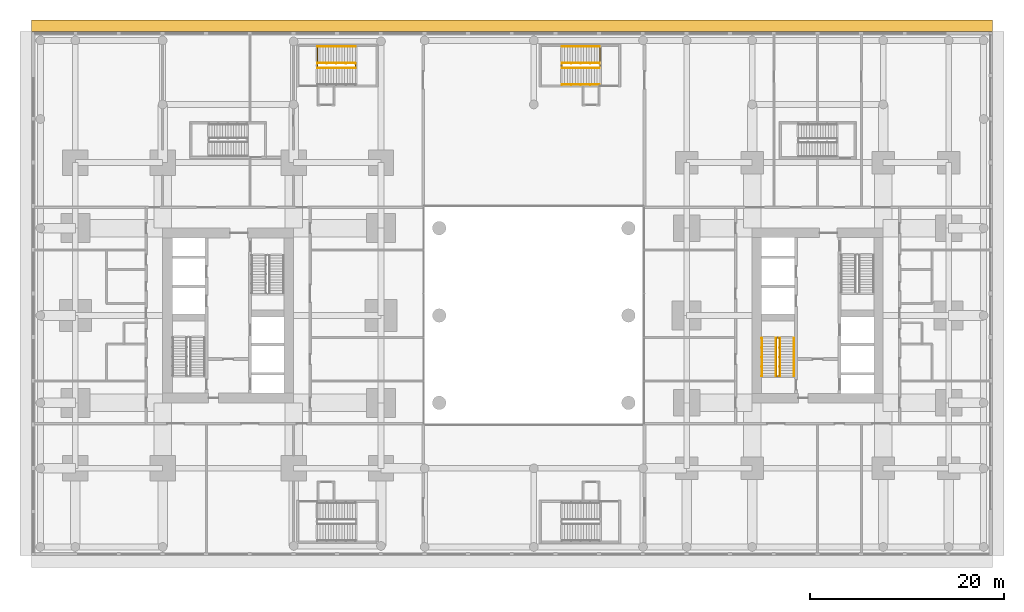
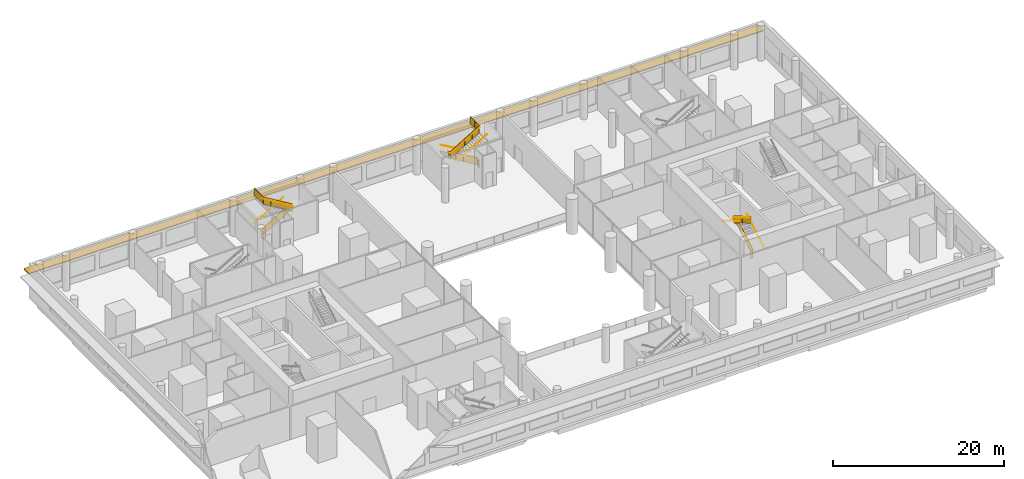
# One storey, part 21 of 22: 14 railings, 1 shading device.
"""IFC4 building model written with IfcOpenShell, lengths in metres."""

from ifc_helpers import new_model, si_unit, direction, frame, origin, origin_2d, place, context, subcontext, project, spatial, polyline, rectangle, circle, outline, extrude, material, layer, layer_set, type_object, element, save


model = new_model("IFC4")

# Units and contexts
model_context = context("Model", 3, precision=1e-05, world=origin(), true_north=direction((0.0, 1.0)))
body_context = subcontext(model_context, "Body", "Model", "MODEL_VIEW")
ifc_project = project(units=[si_unit("LENGTHUNIT", "METRE"), si_unit("AREAUNIT", "SQUARE_METRE"), si_unit("VOLUMEUNIT", "CUBIC_METRE"), si_unit("PLANEANGLEUNIT", "RADIAN"), si_unit("MASSUNIT", "GRAM", prefix="KILO")], contexts=[model_context])

# Site, building, storey
site_placement = place(None, origin())
site = spatial("IfcSite", under=ifc_project, at=site_placement, CompositionType="ELEMENT")
building_placement = place(site_placement, origin())
building = spatial("IfcBuilding", under=site, at=building_placement, Name="Namib Vertical Campus", CompositionType="ELEMENT")
storey_placement = place(building_placement, frame((0.0, 0.0, 11.0)))
storey = spatial("IfcBuildingStorey", under=building, at=storey_placement, Name="L02", CompositionType="ELEMENT", Elevation=11.0)

# Railings
ifc_material_1 = material(Name="Steel handrail", Category="steel")
railing_type_1 = type_object("IfcRailingType", Name="Handrail 900", PredefinedType="HANDRAIL", material=ifc_material_1)
railing_1_placement = place(storey_placement, frame((78.550048828125, 14.0, 0.166748046875)))
element("IfcRailing", 1, at=railing_1_placement, inside=storey, type_object=railing_type_1, Name="Handrail HR1 B-S1 L02 1", PredefinedType="HANDRAIL", context=body_context, shape_type="SweptSolid", body=[
    extrude(circle(Radius=0.02392578125, at=origin_2d()), frame((0.0, 0.0, 0.8759765625), z_axis=(0.0, 0.859296244711, 0.511478214419), x_axis=(-1.0, 0.0, 0.0)), (0.0, 0.0, 1.0), 4.561767578125),
    extrude(circle(Radius=0.008056640625, at=origin_2d()), frame((0.0, 0.0, 0.8759765625), z_axis=(1.0, 0.0, 0.0), x_axis=(0.0, 0.0, 1.0)), (0.0, 0.0, 1.0), 0.050048828125),
    extrude(circle(Radius=0.008056640625, at=origin_2d()), frame((0.0, 0.97998046875, 1.459228515625), z_axis=(1.0, 0.0, 0.0), x_axis=(0.0, 0.0, 1.0)), (0.0, 0.0, 1.0), 0.050048828125),
    extrude(circle(Radius=0.008056640625, at=origin_2d()), frame((0.0, 1.9599609375, 2.04248046875), z_axis=(1.0, 0.0, 0.0), x_axis=(0.0, 0.0, 1.0)), (0.0, 0.0, 1.0), 0.050048828125),
    extrude(circle(Radius=0.008056640625, at=origin_2d()), frame((0.0, 2.93994140625, 2.625732421875), z_axis=(1.0, 0.0, 0.0), x_axis=(0.0, 0.0, 1.0)), (0.0, 0.0, 1.0), 0.050048828125),
    extrude(circle(Radius=0.008056640625, at=origin_2d()), frame((0.0, 3.919921875, 3.208984375), z_axis=(1.0, 0.0, 0.0), x_axis=(0.0, 0.0, 1.0)), (0.0, 0.0, 1.0), 0.050048828125),
])
railing_2_placement = place(storey_placement, frame((75.25, 17.919921875, 2.666748046875)))
element("IfcRailing", 2, at=railing_2_placement, inside=storey, type_object=railing_type_1, Name="Handrail HR1 B-S1 L02 2", PredefinedType="HANDRAIL", context=body_context, shape_type="SweptSolid", body=[
    extrude(circle(Radius=0.02392578125, at=origin_2d()), frame((0.0, 0.0, 0.8759765625), z_axis=(0.0, -0.859296244711, 0.511478214419), x_axis=(1.0, 0.0, 0.0)), (0.0, 0.0, 1.0), 4.561767578125),
    extrude(circle(Radius=0.008056640625, at=origin_2d()), frame((0.0, 0.0, 0.8759765625), z_axis=(-1.0, 0.0, 0.0), x_axis=(0.0, 0.0, 1.0)), (0.0, 0.0, 1.0), 0.050048828125),
    extrude(circle(Radius=0.008056640625, at=origin_2d()), frame((0.0, -0.97998046875, 1.459228515625), z_axis=(-1.0, 0.0, 0.0), x_axis=(0.0, 0.0, 1.0)), (0.0, 0.0, 1.0), 0.050048828125),
    extrude(circle(Radius=0.008056640625, at=origin_2d()), frame((0.0, -1.9599609375, 2.04248046875), z_axis=(-1.0, 0.0, 0.0), x_axis=(0.0, 0.0, 1.0)), (0.0, 0.0, 1.0), 0.050048828125),
    extrude(circle(Radius=0.008056640625, at=origin_2d()), frame((0.0, -2.93994140625, 2.625732421875), z_axis=(-1.0, 0.0, 0.0), x_axis=(0.0, 0.0, 1.0)), (0.0, 0.0, 1.0), 0.050048828125),
    extrude(circle(Radius=0.008056640625, at=origin_2d()), frame((0.0, -3.919921875, 3.208984375), z_axis=(-1.0, 0.0, 0.0), x_axis=(0.0, 0.0, 1.0)), (0.0, 0.0, 1.0), 0.050048828125),
])
railing_3_placement = place(storey_placement, frame((77.10009765625, 14.0, 0.166748046875)))
element("IfcRailing", 3, at=railing_3_placement, inside=storey, type_object=railing_type_1, Name="Handrail HR1 B-S1 L02 1 at the well", PredefinedType="HANDRAIL", context=body_context, shape_type="SweptSolid", body=[
    extrude(circle(Radius=0.02392578125, at=origin_2d()), frame((0.0, 0.0, 0.8759765625), z_axis=(0.0, 0.859296244711, 0.511478214419), x_axis=(-1.0, 0.0, 0.0)), (0.0, 0.0, 1.0), 4.561767578125),
    extrude(circle(Radius=0.008056640625, at=origin_2d()), frame((0.0, 0.0, 0.8759765625), z_axis=(-1.0, 0.0, 0.0), x_axis=(0.0, 0.0, 1.0)), (0.0, 0.0, 1.0), 0.0400390625),
    extrude(circle(Radius=0.008056640625, at=origin_2d()), frame((0.0, 0.97998046875, 1.459228515625), z_axis=(-1.0, 0.0, 0.0), x_axis=(0.0, 0.0, 1.0)), (0.0, 0.0, 1.0), 0.0400390625),
    extrude(circle(Radius=0.008056640625, at=origin_2d()), frame((0.0, 1.9599609375, 2.04248046875), z_axis=(-1.0, 0.0, 0.0), x_axis=(0.0, 0.0, 1.0)), (0.0, 0.0, 1.0), 0.0400390625),
    extrude(circle(Radius=0.008056640625, at=origin_2d()), frame((0.0, 2.93994140625, 2.625732421875), z_axis=(-1.0, 0.0, 0.0), x_axis=(0.0, 0.0, 1.0)), (0.0, 0.0, 1.0), 0.0400390625),
    extrude(circle(Radius=0.008056640625, at=origin_2d()), frame((0.0, 3.919921875, 3.208984375), z_axis=(-1.0, 0.0, 0.0), x_axis=(0.0, 0.0, 1.0)), (0.0, 0.0, 1.0), 0.0400390625),
])
railing_4_placement = place(storey_placement, frame((76.699951171875, 17.919921875, 2.666748046875)))
element("IfcRailing", 4, at=railing_4_placement, inside=storey, type_object=railing_type_1, Name="Handrail HR1 B-S1 L02 2 at the well", PredefinedType="HANDRAIL", context=body_context, shape_type="SweptSolid", body=[
    extrude(circle(Radius=0.02392578125, at=origin_2d()), frame((0.0, 0.0, 0.8759765625), z_axis=(0.0, -0.859296244711, 0.511478214419), x_axis=(1.0, 0.0, 0.0)), (0.0, 0.0, 1.0), 4.561767578125),
    extrude(circle(Radius=0.008056640625, at=origin_2d()), frame((0.0, 0.0, 0.8759765625), z_axis=(1.0, 0.0, 0.0), x_axis=(0.0, 0.0, 1.0)), (0.0, 0.0, 1.0), 0.0400390625),
    extrude(circle(Radius=0.008056640625, at=origin_2d()), frame((0.0, -0.97998046875, 1.459228515625), z_axis=(1.0, 0.0, 0.0), x_axis=(0.0, 0.0, 1.0)), (0.0, 0.0, 1.0), 0.0400390625),
    extrude(circle(Radius=0.008056640625, at=origin_2d()), frame((0.0, -1.9599609375, 2.04248046875), z_axis=(1.0, 0.0, 0.0), x_axis=(0.0, 0.0, 1.0)), (0.0, 0.0, 1.0), 0.0400390625),
    extrude(circle(Radius=0.008056640625, at=origin_2d()), frame((0.0, -2.93994140625, 2.625732421875), z_axis=(1.0, 0.0, 0.0), x_axis=(0.0, 0.0, 1.0)), (0.0, 0.0, 1.0), 0.0400390625),
    extrude(circle(Radius=0.008056640625, at=origin_2d()), frame((0.0, -3.919921875, 3.208984375), z_axis=(1.0, 0.0, 0.0), x_axis=(0.0, 0.0, 1.0)), (0.0, 0.0, 1.0), 0.0400390625),
])
railing_5_placement = place(storey_placement, frame((29.446044921875, 47.949951171875, 0.166748046875)))
element("IfcRailing", 5, at=railing_5_placement, inside=storey, type_object=railing_type_1, Name="Handrail HR1 P-S1 L02 1", PredefinedType="HANDRAIL", context=body_context, shape_type="SweptSolid", body=[
    extrude(circle(Radius=0.02392578125, at=origin_2d()), frame((0.0, 0.0, 0.8759765625), z_axis=(0.859310244771, 0.0, 0.511454693235), x_axis=(0.0, 1.0, 0.0)), (0.0, 0.0, 1.0), 4.56201171875),
    extrude(circle(Radius=0.008056640625, at=origin_2d()), frame((0.0, 0.0, 0.8759765625), z_axis=(0.0, 1.0, 0.0), x_axis=(0.0, 0.0, 1.0)), (0.0, 0.0, 1.0), 0.050048828125),
    extrude(circle(Radius=0.008056640625, at=origin_2d()), frame((0.97998046875, 0.0, 1.459228515625), z_axis=(0.0, 1.0, 0.0), x_axis=(0.0, 0.0, 1.0)), (0.0, 0.0, 1.0), 0.050048828125),
    extrude(circle(Radius=0.008056640625, at=origin_2d()), frame((1.9599609375, 0.0, 2.04248046875), z_axis=(0.0, 1.0, 0.0), x_axis=(0.0, 0.0, 1.0)), (0.0, 0.0, 1.0), 0.050048828125),
    extrude(circle(Radius=0.008056640625, at=origin_2d()), frame((2.940185546875, 0.0, 2.625732421875), z_axis=(0.0, 1.0, 0.0), x_axis=(0.0, 0.0, 1.0)), (0.0, 0.0, 1.0), 0.050048828125),
    extrude(circle(Radius=0.008056640625, at=origin_2d()), frame((3.920166015625, 0.0, 3.208984375), z_axis=(0.0, 1.0, 0.0), x_axis=(0.0, 0.0, 1.0)), (0.0, 0.0, 1.0), 0.050048828125),
])
railing_6_placement = place(storey_placement, frame((29.446044921875, 46.25, 0.166748046875)))
element("IfcRailing", 6, at=railing_6_placement, inside=storey, type_object=railing_type_1, Name="Handrail HR1 P-S1 L02 1 at the well", PredefinedType="HANDRAIL", context=body_context, shape_type="SweptSolid", body=[
    extrude(circle(Radius=0.02392578125, at=origin_2d()), frame((0.0, 0.0, 0.8759765625), z_axis=(0.859310244771, 0.0, 0.511454693235), x_axis=(0.0, 1.0, 0.0)), (0.0, 0.0, 1.0), 4.56201171875),
    extrude(circle(Radius=0.008056640625, at=origin_2d()), frame((0.0, 0.0, 0.8759765625), z_axis=(0.0, -1.0, 0.0), x_axis=(0.0, 0.0, 1.0)), (0.0, 0.0, 1.0), 0.0400390625),
    extrude(circle(Radius=0.008056640625, at=origin_2d()), frame((0.97998046875, 0.0, 1.459228515625), z_axis=(0.0, -1.0, 0.0), x_axis=(0.0, 0.0, 1.0)), (0.0, 0.0, 1.0), 0.0400390625),
    extrude(circle(Radius=0.008056640625, at=origin_2d()), frame((1.9599609375, 0.0, 2.04248046875), z_axis=(0.0, -1.0, 0.0), x_axis=(0.0, 0.0, 1.0)), (0.0, 0.0, 1.0), 0.0400390625),
    extrude(circle(Radius=0.008056640625, at=origin_2d()), frame((2.940185546875, 0.0, 2.625732421875), z_axis=(0.0, -1.0, 0.0), x_axis=(0.0, 0.0, 1.0)), (0.0, 0.0, 1.0), 0.0400390625),
    extrude(circle(Radius=0.008056640625, at=origin_2d()), frame((3.920166015625, 0.0, 3.208984375), z_axis=(0.0, -1.0, 0.0), x_axis=(0.0, 0.0, 1.0)), (0.0, 0.0, 1.0), 0.0400390625),
])
railing_7_placement = place(storey_placement, frame((33.3662109375, 45.75, 2.666748046875)))
element("IfcRailing", 7, at=railing_7_placement, inside=storey, type_object=railing_type_1, Name="Handrail HR1 P-S1 L02 2 at the well", PredefinedType="HANDRAIL", context=body_context, shape_type="SweptSolid", body=[
    extrude(circle(Radius=0.02392578125, at=origin_2d()), frame((0.0, 0.0, 0.8759765625), z_axis=(-0.859310244771, 0.0, 0.511454693235), x_axis=(0.0, -1.0, 0.0)), (0.0, 0.0, 1.0), 4.56201171875),
    extrude(circle(Radius=0.008056640625, at=origin_2d()), frame((0.0, 0.0, 0.8759765625), z_axis=(0.0, 1.0, 0.0), x_axis=(0.0, 0.0, 1.0)), (0.0, 0.0, 1.0), 0.0400390625),
    extrude(circle(Radius=0.008056640625, at=origin_2d()), frame((-0.97998046875, 0.0, 1.459228515625), z_axis=(0.0, 1.0, 0.0), x_axis=(0.0, 0.0, 1.0)), (0.0, 0.0, 1.0), 0.0400390625),
    extrude(circle(Radius=0.008056640625, at=origin_2d()), frame((-1.9599609375, 0.0, 2.04248046875), z_axis=(0.0, 1.0, 0.0), x_axis=(0.0, 0.0, 1.0)), (0.0, 0.0, 1.0), 0.0400390625),
    extrude(circle(Radius=0.008056640625, at=origin_2d()), frame((-2.940185546875, 0.0, 2.625732421875), z_axis=(0.0, 1.0, 0.0), x_axis=(0.0, 0.0, 1.0)), (0.0, 0.0, 1.0), 0.0400390625),
    extrude(circle(Radius=0.008056640625, at=origin_2d()), frame((-3.920166015625, 0.0, 3.208984375), z_axis=(0.0, 1.0, 0.0), x_axis=(0.0, 0.0, 1.0)), (0.0, 0.0, 1.0), 0.0400390625),
])
railing_8_placement = place(storey_placement, frame((58.553955078125, 47.949951171875, 0.166748046875)))
element("IfcRailing", 8, at=railing_8_placement, inside=storey, type_object=railing_type_1, Name="Handrail HR1 P-S3 L02 1", PredefinedType="HANDRAIL", context=body_context, shape_type="SweptSolid", body=[
    extrude(circle(Radius=0.02392578125, at=origin_2d()), frame((0.0, 0.0, 0.8759765625), z_axis=(-0.859310244771, 0.0, 0.511454693235), x_axis=(0.0, -1.0, 0.0)), (0.0, 0.0, 1.0), 4.56201171875),
    extrude(circle(Radius=0.008056640625, at=origin_2d()), frame((0.0, 0.0, 0.8759765625), z_axis=(0.0, 1.0, 0.0), x_axis=(0.0, 0.0, 1.0)), (0.0, 0.0, 1.0), 0.050048828125),
    extrude(circle(Radius=0.008056640625, at=origin_2d()), frame((-0.97998046875, 0.0, 1.459228515625), z_axis=(0.0, 1.0, 0.0), x_axis=(0.0, 0.0, 1.0)), (0.0, 0.0, 1.0), 0.050048828125),
    extrude(circle(Radius=0.008056640625, at=origin_2d()), frame((-1.9599609375, 0.0, 2.04248046875), z_axis=(0.0, 1.0, 0.0), x_axis=(0.0, 0.0, 1.0)), (0.0, 0.0, 1.0), 0.050048828125),
    extrude(circle(Radius=0.008056640625, at=origin_2d()), frame((-2.940185546875, 0.0, 2.625732421875), z_axis=(0.0, 1.0, 0.0), x_axis=(0.0, 0.0, 1.0)), (0.0, 0.0, 1.0), 0.050048828125),
    extrude(circle(Radius=0.008056640625, at=origin_2d()), frame((-3.920166015625, 0.0, 3.208984375), z_axis=(0.0, 1.0, 0.0), x_axis=(0.0, 0.0, 1.0)), (0.0, 0.0, 1.0), 0.050048828125),
])
railing_9_placement = place(storey_placement, frame((54.6337890625, 44.050048828125, 2.666748046875)))
element("IfcRailing", 9, at=railing_9_placement, inside=storey, type_object=railing_type_1, Name="Handrail HR1 P-S3 L02 2", PredefinedType="HANDRAIL", context=body_context, shape_type="SweptSolid", body=[
    extrude(circle(Radius=0.02392578125, at=origin_2d()), frame((0.0, 0.0, 0.8759765625), z_axis=(0.859310244771, 0.0, 0.511454693235), x_axis=(0.0, 1.0, 0.0)), (0.0, 0.0, 1.0), 4.56201171875),
    extrude(circle(Radius=0.008056640625, at=origin_2d()), frame((0.0, 0.0, 0.8759765625), z_axis=(0.0, -1.0, 0.0), x_axis=(0.0, 0.0, 1.0)), (0.0, 0.0, 1.0), 0.050048828125),
    extrude(circle(Radius=0.008056640625, at=origin_2d()), frame((0.97998046875, 0.0, 1.459228515625), z_axis=(0.0, -1.0, 0.0), x_axis=(0.0, 0.0, 1.0)), (0.0, 0.0, 1.0), 0.050048828125),
    extrude(circle(Radius=0.008056640625, at=origin_2d()), frame((1.9599609375, 0.0, 2.04248046875), z_axis=(0.0, -1.0, 0.0), x_axis=(0.0, 0.0, 1.0)), (0.0, 0.0, 1.0), 0.050048828125),
    extrude(circle(Radius=0.008056640625, at=origin_2d()), frame((2.940185546875, 0.0, 2.625732421875), z_axis=(0.0, -1.0, 0.0), x_axis=(0.0, 0.0, 1.0)), (0.0, 0.0, 1.0), 0.050048828125),
    extrude(circle(Radius=0.008056640625, at=origin_2d()), frame((3.920166015625, 0.0, 3.208984375), z_axis=(0.0, -1.0, 0.0), x_axis=(0.0, 0.0, 1.0)), (0.0, 0.0, 1.0), 0.050048828125),
])
railing_10_placement = place(storey_placement, frame((58.553955078125, 46.25, 0.166748046875)))
element("IfcRailing", 10, at=railing_10_placement, inside=storey, type_object=railing_type_1, Name="Handrail HR1 P-S3 L02 1 at the well", PredefinedType="HANDRAIL", context=body_context, shape_type="SweptSolid", body=[
    extrude(circle(Radius=0.02392578125, at=origin_2d()), frame((0.0, 0.0, 0.8759765625), z_axis=(-0.859310244771, 0.0, 0.511454693235), x_axis=(0.0, -1.0, 0.0)), (0.0, 0.0, 1.0), 4.56201171875),
    extrude(circle(Radius=0.008056640625, at=origin_2d()), frame((0.0, 0.0, 0.8759765625), z_axis=(0.0, -1.0, 0.0), x_axis=(0.0, 0.0, 1.0)), (0.0, 0.0, 1.0), 0.0400390625),
    extrude(circle(Radius=0.008056640625, at=origin_2d()), frame((-0.97998046875, 0.0, 1.459228515625), z_axis=(0.0, -1.0, 0.0), x_axis=(0.0, 0.0, 1.0)), (0.0, 0.0, 1.0), 0.0400390625),
    extrude(circle(Radius=0.008056640625, at=origin_2d()), frame((-1.9599609375, 0.0, 2.04248046875), z_axis=(0.0, -1.0, 0.0), x_axis=(0.0, 0.0, 1.0)), (0.0, 0.0, 1.0), 0.0400390625),
    extrude(circle(Radius=0.008056640625, at=origin_2d()), frame((-2.940185546875, 0.0, 2.625732421875), z_axis=(0.0, -1.0, 0.0), x_axis=(0.0, 0.0, 1.0)), (0.0, 0.0, 1.0), 0.0400390625),
    extrude(circle(Radius=0.008056640625, at=origin_2d()), frame((-3.920166015625, 0.0, 3.208984375), z_axis=(0.0, -1.0, 0.0), x_axis=(0.0, 0.0, 1.0)), (0.0, 0.0, 1.0), 0.0400390625),
])
railing_11_placement = place(storey_placement, frame((54.6337890625, 45.75, 2.666748046875)))
element("IfcRailing", 11, at=railing_11_placement, inside=storey, type_object=railing_type_1, Name="Handrail HR1 P-S3 L02 2 at the well", PredefinedType="HANDRAIL", context=body_context, shape_type="SweptSolid", body=[
    extrude(circle(Radius=0.02392578125, at=origin_2d()), frame((0.0, 0.0, 0.8759765625), z_axis=(0.859310244771, 0.0, 0.511454693235), x_axis=(0.0, 1.0, 0.0)), (0.0, 0.0, 1.0), 4.56201171875),
    extrude(circle(Radius=0.008056640625, at=origin_2d()), frame((0.0, 0.0, 0.8759765625), z_axis=(0.0, 1.0, 0.0), x_axis=(0.0, 0.0, 1.0)), (0.0, 0.0, 1.0), 0.0400390625),
    extrude(circle(Radius=0.008056640625, at=origin_2d()), frame((0.97998046875, 0.0, 1.459228515625), z_axis=(0.0, 1.0, 0.0), x_axis=(0.0, 0.0, 1.0)), (0.0, 0.0, 1.0), 0.0400390625),
    extrude(circle(Radius=0.008056640625, at=origin_2d()), frame((1.9599609375, 0.0, 2.04248046875), z_axis=(0.0, 1.0, 0.0), x_axis=(0.0, 0.0, 1.0)), (0.0, 0.0, 1.0), 0.0400390625),
    extrude(circle(Radius=0.008056640625, at=origin_2d()), frame((2.940185546875, 0.0, 2.625732421875), z_axis=(0.0, 1.0, 0.0), x_axis=(0.0, 0.0, 1.0)), (0.0, 0.0, 1.0), 0.0400390625),
    extrude(circle(Radius=0.008056640625, at=origin_2d()), frame((3.920166015625, 0.0, 3.208984375), z_axis=(0.0, 1.0, 0.0), x_axis=(0.0, 0.0, 1.0)), (0.0, 0.0, 1.0), 0.0400390625),
])
ifc_material_2 = material(Name="Steel balustrade", Category="steel")
railing_type_2 = type_object("IfcRailingType", Name="Stair guard 1100", PredefinedType="GUARDRAIL", material=ifc_material_2)
railing_12_placement = place(storey_placement, frame((76.75, 14.0, 0.0)))
element("IfcRailing", 12, at=railing_12_placement, inside=storey, type_object=railing_type_2, Name="Stair guard GR1 B-S1 L02", PredefinedType="GUARDRAIL", context=body_context, shape_type="SweptSolid", body=[
    extrude(circle(Radius=0.02392578125, at=origin_2d()), frame((0.0, 0.0, 1.076171875), z_axis=(1.0, 0.0, 0.0), x_axis=(0.0, 1.0, 0.0)), (0.0, 0.0, 1.0), 0.300048828125),
    extrude(outline(polyline([(0.02099609375, 0.050048828125), (0.279052734375, 0.050048828125), (0.279052734375, 1.052001953125), (0.02099609375, 1.052001953125), (0.02099609375, 0.050048828125)])), frame((0.0, 0.010009765625, 0.0), z_axis=(0.0, -1.0, 0.0), x_axis=(1.0, 0.0, 0.0)), (0.0, 0.0, 1.0), 0.02001953125),
    extrude(circle(Radius=0.02392578125, at=origin_2d()), frame((0.300048828125, 0.0, 1.076171875), z_axis=(0.0, 0.0, 1.0), x_axis=(1.0, 0.0, 0.0)), (0.0, 0.0, 1.0), 0.166748046875),
    extrude(circle(Radius=0.02392578125, at=origin_2d()), frame((0.300048828125, 0.0, 1.24267578125), z_axis=(0.0, 0.859296244711, 0.511478214419), x_axis=(-1.0, 0.0, 0.0)), (0.0, 0.0, 1.0), 4.561767578125),
    extrude(outline(polyline([(0.02099609375, 0.0625), (3.89892578125, 2.370849609375), (3.89892578125, 3.372802734375), (0.02099609375, 1.064453125), (0.02099609375, 0.0625)])), frame((0.2900390625, 0.0, 0.166748046875), z_axis=(1.0, 0.0, 0.0), x_axis=(0.0, 1.0, 0.0)), (0.0, 0.0, 1.0), 0.02001953125),
    extrude(circle(Radius=0.02392578125, at=origin_2d()), frame((0.300048828125, 3.919921875, 3.576171875), z_axis=(-1.0, 0.0, 0.0), x_axis=(0.0, -1.0, 0.0)), (0.0, 0.0, 1.0), 0.300048828125),
    extrude(outline(polyline([(0.02099609375, 0.050048828125), (0.279052734375, 0.050048828125), (0.279052734375, 1.052001953125), (0.02099609375, 1.052001953125), (0.02099609375, 0.050048828125)])), frame((0.300048828125, 3.909912109375, 2.5), z_axis=(0.0, 1.0, 0.0), x_axis=(-1.0, 0.0, 0.0)), (0.0, 0.0, 1.0), 0.02001953125),
    extrude(circle(Radius=0.02392578125, at=origin_2d()), frame((0.0, 3.919921875, 3.576171875), z_axis=(0.0, 0.0, 1.0), x_axis=(1.0, 0.0, 0.0)), (0.0, 0.0, 1.0), 0.166748046875),
    extrude(circle(Radius=0.02392578125, at=origin_2d()), frame((0.0, 3.919921875, 3.74267578125), z_axis=(0.0, -0.859296244711, 0.511478214419), x_axis=(1.0, 0.0, 0.0)), (0.0, 0.0, 1.0), 4.561767578125),
    extrude(outline(polyline([(0.02099609375, 0.0625), (3.89892578125, 2.370849609375), (3.89892578125, 3.372802734375), (0.02099609375, 1.064453125), (0.02099609375, 0.0625)])), frame((0.010009765625, 3.919921875, 2.666748046875), z_axis=(-1.0, 0.0, 0.0), x_axis=(0.0, -1.0, 0.0)), (0.0, 0.0, 1.0), 0.02001953125),
    extrude(circle(Radius=0.02392578125, at=origin_2d()), frame((0.0, 0.0, 6.076171875), z_axis=(0.0, -1.0, 0.0), x_axis=(1.0, 0.0, 0.0)), (0.0, 0.0, 1.0), 0.050048828125),
    extrude(outline(polyline([(0.02099609375, 0.050048828125), (0.029052734375, 0.050048828125), (0.029052734375, 1.052001953125), (0.02099609375, 1.052001953125), (0.02099609375, 0.050048828125)])), frame((0.010009765625, 0.0, 5.0), z_axis=(-1.0, 0.0, 0.0), x_axis=(0.0, -1.0, 0.0)), (0.0, 0.0, 1.0), 0.02001953125),
    extrude(circle(Radius=0.02099609375, at=origin_2d()), origin(), (0.0, 0.0, 1.0), 1.052001953125),
    extrude(circle(Radius=0.02099609375, at=origin_2d()), frame((0.300048828125, 0.0, 0.166748046875)), (0.0, 0.0, 1.0), 1.052001953125),
    extrude(circle(Radius=0.02099609375, at=origin_2d()), frame((0.300048828125, 0.97998046875, 0.666748046875)), (0.0, 0.0, 1.0), 1.13525390625),
    extrude(circle(Radius=0.02099609375, at=origin_2d()), frame((0.300048828125, 1.9599609375, 1.166748046875)), (0.0, 0.0, 1.0), 1.218505859375),
    extrude(circle(Radius=0.02099609375, at=origin_2d()), frame((0.300048828125, 2.93994140625, 1.83349609375)), (0.0, 0.0, 1.0), 1.13525390625),
    extrude(circle(Radius=0.02099609375, at=origin_2d()), frame((0.300048828125, 3.919921875, 2.5)), (0.0, 0.0, 1.0), 1.052001953125),
    extrude(circle(Radius=0.02099609375, at=origin_2d()), frame((0.0, 3.919921875, 2.666748046875)), (0.0, 0.0, 1.0), 1.052001953125),
    extrude(circle(Radius=0.02099609375, at=origin_2d()), frame((0.0, 2.93994140625, 3.166748046875)), (0.0, 0.0, 1.0), 1.13525390625),
    extrude(circle(Radius=0.02099609375, at=origin_2d()), frame((0.0, 1.9599609375, 3.666748046875)), (0.0, 0.0, 1.0), 1.218505859375),
    extrude(circle(Radius=0.02099609375, at=origin_2d()), frame((0.0, 0.97998046875, 4.33349609375)), (0.0, 0.0, 1.0), 1.13525390625),
    extrude(circle(Radius=0.02099609375, at=origin_2d()), frame((0.0, 0.0, 5.0)), (0.0, 0.0, 1.0), 1.052001953125),
    extrude(circle(Radius=0.02099609375, at=origin_2d()), frame((0.0, -0.050048828125, 5.0)), (0.0, 0.0, 1.0), 1.052001953125),
])
railing_13_placement = place(storey_placement, frame((29.446044921875, 45.800048828125, 0.0)))
element("IfcRailing", 13, at=railing_13_placement, inside=storey, type_object=railing_type_2, Name="Stair guard GR1 P-S1 L02", PredefinedType="GUARDRAIL", context=body_context, shape_type="SweptSolid", body=[
    extrude(circle(Radius=0.02392578125, at=origin_2d()), frame((0.0, 0.0, 1.076171875), z_axis=(0.0, 1.0, 0.0), x_axis=(-1.0, 0.0, 0.0)), (0.0, 0.0, 1.0), 0.39990234375),
    extrude(outline(polyline([(0.02099609375, 0.050048828125), (0.37890625, 0.050048828125), (0.37890625, 1.052001953125), (0.02099609375, 1.052001953125), (0.02099609375, 0.050048828125)])), frame((-0.010009765625, 0.0, 0.0), z_axis=(1.0, 0.0, 0.0), x_axis=(0.0, 1.0, 0.0)), (0.0, 0.0, 1.0), 0.02001953125),
    extrude(circle(Radius=0.02392578125, at=origin_2d()), frame((0.0, 0.39990234375, 1.076171875), z_axis=(0.0, 0.0, 1.0), x_axis=(1.0, 0.0, 0.0)), (0.0, 0.0, 1.0), 0.166748046875),
    extrude(circle(Radius=0.02392578125, at=origin_2d()), frame((0.0, 0.39990234375, 1.24267578125), z_axis=(0.859310244771, 0.0, 0.511454693235), x_axis=(0.0, 1.0, 0.0)), (0.0, 0.0, 1.0), 4.56201171875),
    extrude(outline(polyline([(0.02099609375, 0.0625), (3.899169921875, 2.370849609375), (3.899169921875, 3.372802734375), (0.02099609375, 1.064453125), (0.02099609375, 0.0625)])), frame((0.0, 0.409912109375, 0.166748046875), z_axis=(0.0, -1.0, 0.0), x_axis=(1.0, 0.0, 0.0)), (0.0, 0.0, 1.0), 0.02001953125),
    extrude(circle(Radius=0.02392578125, at=origin_2d()), frame((3.920166015625, 0.39990234375, 3.576171875), z_axis=(0.0, -1.0, 0.0), x_axis=(1.0, 0.0, 0.0)), (0.0, 0.0, 1.0), 0.39990234375),
    extrude(outline(polyline([(0.02099609375, 0.050048828125), (0.37890625, 0.050048828125), (0.37890625, 1.052001953125), (0.02099609375, 1.052001953125), (0.02099609375, 0.050048828125)])), frame((3.93017578125, 0.39990234375, 2.5), z_axis=(-1.0, 0.0, 0.0), x_axis=(0.0, -1.0, 0.0)), (0.0, 0.0, 1.0), 0.02001953125),
    extrude(circle(Radius=0.02392578125, at=origin_2d()), frame((3.920166015625, 0.0, 3.576171875), z_axis=(0.0, 0.0, 1.0), x_axis=(1.0, 0.0, 0.0)), (0.0, 0.0, 1.0), 0.166748046875),
    extrude(circle(Radius=0.02392578125, at=origin_2d()), frame((3.920166015625, 0.0, 3.74267578125), z_axis=(-0.859310244771, 0.0, 0.511454693235), x_axis=(0.0, -1.0, 0.0)), (0.0, 0.0, 1.0), 4.56201171875),
    extrude(outline(polyline([(0.02099609375, 0.0625), (3.899169921875, 2.370849609375), (3.899169921875, 3.372802734375), (0.02099609375, 1.064453125), (0.02099609375, 0.0625)])), frame((3.920166015625, -0.010009765625, 2.666748046875), z_axis=(0.0, 1.0, 0.0), x_axis=(-1.0, 0.0, 0.0)), (0.0, 0.0, 1.0), 0.02001953125),
    extrude(circle(Radius=0.02392578125, at=origin_2d()), frame((0.0, 0.0, 6.076171875), z_axis=(0.0, 1.0, 0.0), x_axis=(-1.0, 0.0, 0.0)), (0.0, 0.0, 1.0), 2.14990234375),
    extrude(outline(polyline([(0.02099609375, 0.050048828125), (2.12890625, 0.050048828125), (2.12890625, 1.052001953125), (0.02099609375, 1.052001953125), (0.02099609375, 0.050048828125)])), frame((-0.010009765625, 0.0, 5.0), z_axis=(1.0, 0.0, 0.0), x_axis=(0.0, 1.0, 0.0)), (0.0, 0.0, 1.0), 0.02001953125),
    extrude(circle(Radius=0.02099609375, at=origin_2d()), origin(), (0.0, 0.0, 1.0), 1.052001953125),
    extrude(circle(Radius=0.02099609375, at=origin_2d()), frame((0.0, 0.39990234375, 0.166748046875)), (0.0, 0.0, 1.0), 1.052001953125),
    extrude(circle(Radius=0.02099609375, at=origin_2d()), frame((0.97998046875, 0.39990234375, 0.666748046875)), (0.0, 0.0, 1.0), 1.13525390625),
    extrude(circle(Radius=0.02099609375, at=origin_2d()), frame((1.9599609375, 0.39990234375, 1.33349609375)), (0.0, 0.0, 1.0), 1.052001953125),
    extrude(circle(Radius=0.02099609375, at=origin_2d()), frame((2.940185546875, 0.39990234375, 1.83349609375)), (0.0, 0.0, 1.0), 1.13525390625),
    extrude(circle(Radius=0.02099609375, at=origin_2d()), frame((3.920166015625, 0.39990234375, 2.5)), (0.0, 0.0, 1.0), 1.052001953125),
    extrude(circle(Radius=0.02099609375, at=origin_2d()), frame((3.920166015625, 0.0, 2.666748046875)), (0.0, 0.0, 1.0), 1.052001953125),
    extrude(circle(Radius=0.02099609375, at=origin_2d()), frame((2.940185546875, 0.0, 3.166748046875)), (0.0, 0.0, 1.0), 1.13525390625),
    extrude(circle(Radius=0.02099609375, at=origin_2d()), frame((1.9599609375, 0.0, 3.83349609375)), (0.0, 0.0, 1.0), 1.052001953125),
    extrude(circle(Radius=0.02099609375, at=origin_2d()), frame((0.97998046875, 0.0, 4.33349609375)), (0.0, 0.0, 1.0), 1.13525390625),
    extrude(circle(Radius=0.02099609375, at=origin_2d()), frame((0.0, 0.0, 5.0)), (0.0, 0.0, 1.0), 1.052001953125),
    extrude(circle(Radius=0.02099609375, at=origin_2d()), frame((0.0, 1.074951171875, 5.0)), (0.0, 0.0, 1.0), 1.052001953125),
    extrude(circle(Radius=0.02099609375, at=origin_2d()), frame((0.0, 2.14990234375, 5.0)), (0.0, 0.0, 1.0), 1.052001953125),
])
railing_14_placement = place(storey_placement, frame((58.553955078125, 45.800048828125, 0.0)))
element("IfcRailing", 14, at=railing_14_placement, inside=storey, type_object=railing_type_2, Name="Stair guard GR1 P-S3 L02", PredefinedType="GUARDRAIL", context=body_context, shape_type="SweptSolid", body=[
    extrude(circle(Radius=0.02392578125, at=origin_2d()), frame((0.0, 0.0, 1.076171875), z_axis=(0.0, 1.0, 0.0), x_axis=(-1.0, 0.0, 0.0)), (0.0, 0.0, 1.0), 0.39990234375),
    extrude(outline(polyline([(0.02099609375, 0.050048828125), (0.37890625, 0.050048828125), (0.37890625, 1.052001953125), (0.02099609375, 1.052001953125), (0.02099609375, 0.050048828125)])), frame((-0.010009765625, 0.0, 0.0), z_axis=(1.0, 0.0, 0.0), x_axis=(0.0, 1.0, 0.0)), (0.0, 0.0, 1.0), 0.02001953125),
    extrude(circle(Radius=0.02392578125, at=origin_2d()), frame((0.0, 0.39990234375, 1.076171875), z_axis=(0.0, 0.0, 1.0), x_axis=(1.0, 0.0, 0.0)), (0.0, 0.0, 1.0), 0.166748046875),
    extrude(circle(Radius=0.02392578125, at=origin_2d()), frame((0.0, 0.39990234375, 1.24267578125), z_axis=(-0.859310244771, 0.0, 0.511454693235), x_axis=(0.0, -1.0, 0.0)), (0.0, 0.0, 1.0), 4.56201171875),
    extrude(outline(polyline([(0.02099609375, 0.0625), (3.899169921875, 2.370849609375), (3.899169921875, 3.372802734375), (0.02099609375, 1.064453125), (0.02099609375, 0.0625)])), frame((0.0, 0.389892578125, 0.166748046875), z_axis=(0.0, 1.0, 0.0), x_axis=(-1.0, 0.0, 0.0)), (0.0, 0.0, 1.0), 0.02001953125),
    extrude(circle(Radius=0.02392578125, at=origin_2d()), frame((-3.920166015625, 0.39990234375, 3.576171875), z_axis=(0.0, -1.0, 0.0), x_axis=(1.0, 0.0, 0.0)), (0.0, 0.0, 1.0), 0.39990234375),
    extrude(outline(polyline([(0.02099609375, 0.050048828125), (0.37890625, 0.050048828125), (0.37890625, 1.052001953125), (0.02099609375, 1.052001953125), (0.02099609375, 0.050048828125)])), frame((-3.91015625, 0.39990234375, 2.5), z_axis=(-1.0, 0.0, 0.0), x_axis=(0.0, -1.0, 0.0)), (0.0, 0.0, 1.0), 0.02001953125),
    extrude(circle(Radius=0.02392578125, at=origin_2d()), frame((-3.920166015625, 0.0, 3.576171875), z_axis=(0.0, 0.0, 1.0), x_axis=(1.0, 0.0, 0.0)), (0.0, 0.0, 1.0), 0.166748046875),
    extrude(circle(Radius=0.02392578125, at=origin_2d()), frame((-3.920166015625, 0.0, 3.74267578125), z_axis=(0.859310244771, 0.0, 0.511454693235), x_axis=(0.0, 1.0, 0.0)), (0.0, 0.0, 1.0), 4.56201171875),
    extrude(outline(polyline([(0.02099609375, 0.0625), (3.899169921875, 2.370849609375), (3.899169921875, 3.372802734375), (0.02099609375, 1.064453125), (0.02099609375, 0.0625)])), frame((-3.920166015625, 0.010009765625, 2.666748046875), z_axis=(0.0, -1.0, 0.0), x_axis=(1.0, 0.0, 0.0)), (0.0, 0.0, 1.0), 0.02001953125),
    extrude(circle(Radius=0.02392578125, at=origin_2d()), frame((0.0, 0.0, 6.076171875), z_axis=(0.0, 1.0, 0.0), x_axis=(-1.0, 0.0, 0.0)), (0.0, 0.0, 1.0), 2.14990234375),
    extrude(outline(polyline([(0.02099609375, 0.050048828125), (2.12890625, 0.050048828125), (2.12890625, 1.052001953125), (0.02099609375, 1.052001953125), (0.02099609375, 0.050048828125)])), frame((-0.010009765625, 0.0, 5.0), z_axis=(1.0, 0.0, 0.0), x_axis=(0.0, 1.0, 0.0)), (0.0, 0.0, 1.0), 0.02001953125),
    extrude(circle(Radius=0.02099609375, at=origin_2d()), origin(), (0.0, 0.0, 1.0), 1.052001953125),
    extrude(circle(Radius=0.02099609375, at=origin_2d()), frame((0.0, 0.39990234375, 0.166748046875)), (0.0, 0.0, 1.0), 1.052001953125),
    extrude(circle(Radius=0.02099609375, at=origin_2d()), frame((-0.97998046875, 0.39990234375, 0.666748046875)), (0.0, 0.0, 1.0), 1.13525390625),
    extrude(circle(Radius=0.02099609375, at=origin_2d()), frame((-1.9599609375, 0.39990234375, 1.33349609375)), (0.0, 0.0, 1.0), 1.052001953125),
    extrude(circle(Radius=0.02099609375, at=origin_2d()), frame((-2.940185546875, 0.39990234375, 1.83349609375)), (0.0, 0.0, 1.0), 1.13525390625),
    extrude(circle(Radius=0.02099609375, at=origin_2d()), frame((-3.920166015625, 0.39990234375, 2.5)), (0.0, 0.0, 1.0), 1.052001953125),
    extrude(circle(Radius=0.02099609375, at=origin_2d()), frame((-3.920166015625, 0.0, 2.666748046875)), (0.0, 0.0, 1.0), 1.052001953125),
    extrude(circle(Radius=0.02099609375, at=origin_2d()), frame((-2.940185546875, 0.0, 3.166748046875)), (0.0, 0.0, 1.0), 1.13525390625),
    extrude(circle(Radius=0.02099609375, at=origin_2d()), frame((-1.9599609375, 0.0, 3.83349609375)), (0.0, 0.0, 1.0), 1.052001953125),
    extrude(circle(Radius=0.02099609375, at=origin_2d()), frame((-0.97998046875, 0.0, 4.33349609375)), (0.0, 0.0, 1.0), 1.13525390625),
    extrude(circle(Radius=0.02099609375, at=origin_2d()), frame((0.0, 0.0, 5.0)), (0.0, 0.0, 1.0), 1.052001953125),
    extrude(circle(Radius=0.02099609375, at=origin_2d()), frame((0.0, 1.074951171875, 5.0)), (0.0, 0.0, 1.0), 1.052001953125),
    extrude(circle(Radius=0.02099609375, at=origin_2d()), frame((0.0, 2.14990234375, 5.0)), (0.0, 0.0, 1.0), 1.052001953125),
])

# Shading device
ifc_material_3 = material(Name="Concrete C40/50 precast", Category="concrete")
ifc_layer = layer(ifc_material_3, 0.14990234375)
ifc_layer_set = layer_set([ifc_layer], Name="Concrete C40/50 precast")
shading_device_type = type_object("IfcShadingDeviceType", Name="Sunshade hood 1200", PredefinedType="SHUTTER", material=ifc_layer_set)
shading_device_placement = place(storey_placement, frame((49.5, 50.10009765625, 3.10009765625), z_axis=(0.0, 0.0, 1.0), x_axis=(-1.0, 0.0, 0.0)))
element("IfcShadingDevice", 15, at=shading_device_placement, inside=storey, type_object=shading_device_type, Name="Sunshade SH2 L02 3", PredefinedType="SHUTTER", context=body_context, shape_type="SweptSolid", body=[
    extrude(rectangle(XDim=99.0, YDim=1.199951171875, at=origin_2d()), origin(), (0.0, 0.0, 1.0), 0.14990234375),
])

save(model, "model.ifc")
